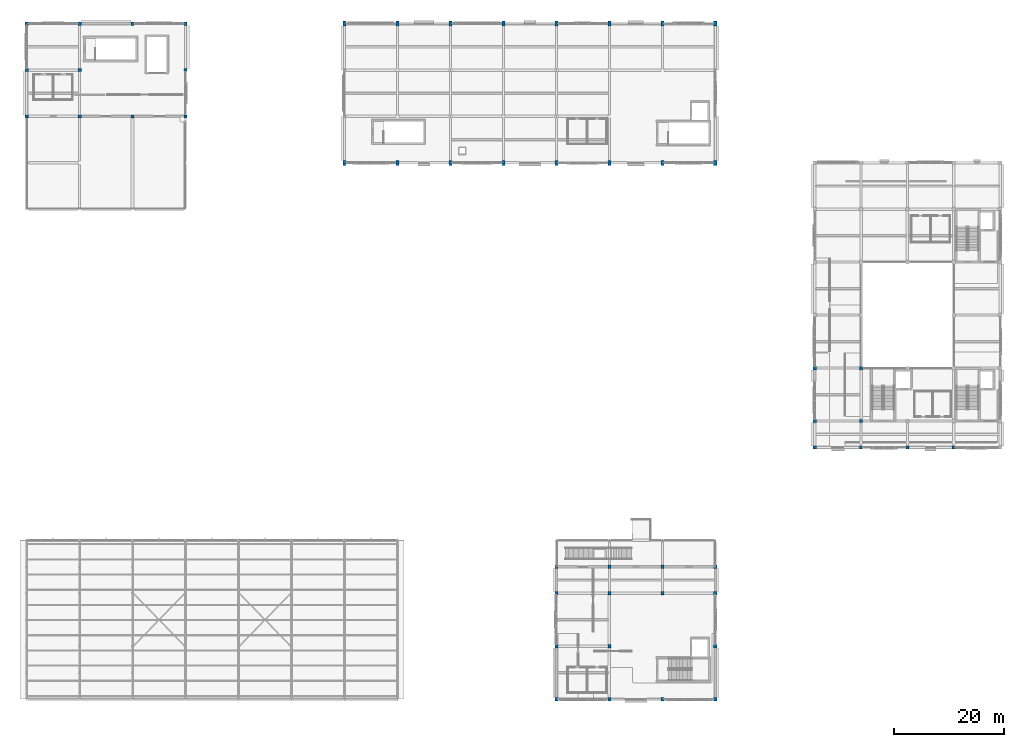
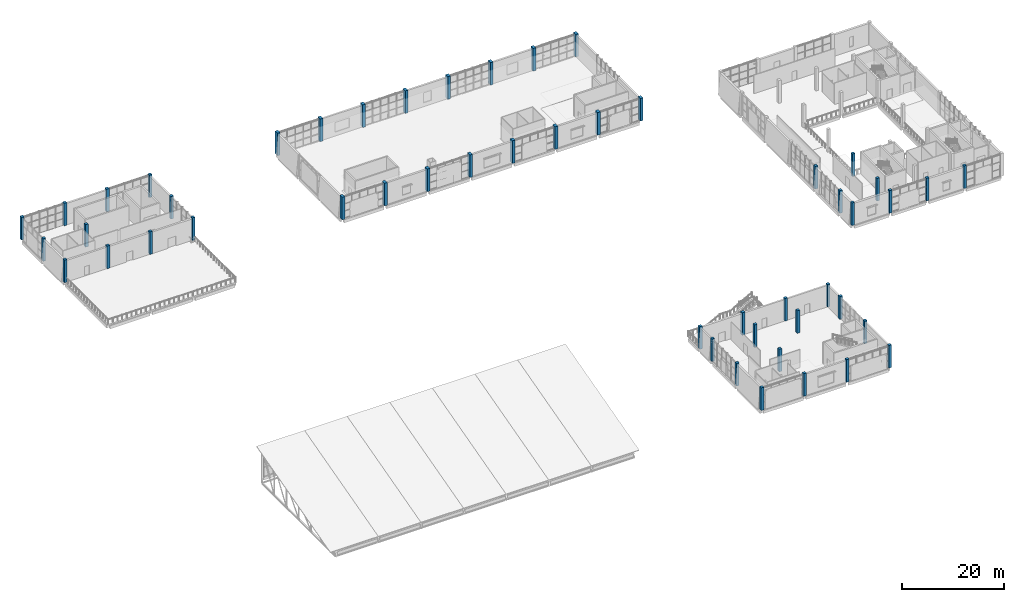
# One storey, part 1 of 57: 50 columns.
"""IFC4 building model written with IfcOpenShell, lengths in metres."""

from ifc_helpers import new_model, si_unit, direction, frame, origin, origin_2d, place, context, subcontext, project, spatial, rectangle, extrude, material, material_profile, profile_set, type_object, element, save


model = new_model("IFC4")

# Units and contexts
model_context = context("Model", 3, precision=1e-05, world=origin(), true_north=direction((0.0, 1.0)))
body_context = subcontext(model_context, "Body", "Model", "MODEL_VIEW")
ifc_project = project(units=[si_unit("LENGTHUNIT", "METRE"), si_unit("AREAUNIT", "SQUARE_METRE"), si_unit("VOLUMEUNIT", "CUBIC_METRE"), si_unit("PLANEANGLEUNIT", "RADIAN"), si_unit("MASSUNIT", "GRAM", prefix="KILO")], contexts=[model_context])

# Site, building, storey
site_placement = place(None, origin())
site = spatial("IfcSite", under=ifc_project, at=site_placement, CompositionType="ELEMENT")
building_placement = place(site_placement, origin())
building = spatial("IfcBuilding", under=site, at=building_placement, Name="Shalvenor Court Art Gallery", CompositionType="ELEMENT")
storey_placement = place(building_placement, frame((0.0, 0.0, 16.800048828125)))
storey = spatial("IfcBuildingStorey", under=building, at=storey_placement, Name="L03", CompositionType="ELEMENT", Elevation=16.800048828125)

# Columns
ifc_material_1 = material(Name="Concrete C40/50", Category="concrete")
ifc_material_profile_1 = material_profile(ifc_material_1, rectangle(XDim=0.60009765625, YDim=0.60009765625, at=origin_2d()), Name="RC 600x600")
ifc_profile_set_1 = profile_set([ifc_material_profile_1], Name="Concrete C40/50")
column_type_1 = type_object("IfcColumnType", Name="C-03", PredefinedType="COLUMN", material=ifc_profile_set_1)
for number, where, z_axis, x_axis, name in (
    (1, (9.60009765625, 105.60009765625, 0.0), (0.0, 0.0, 1.0), (1.0, 0.0, 0.0), "L03 Column COL-L03-C-03-0074"),
    (2, (9.60009765625, 114.0, 0.0), (0.0, 0.0, 1.0), (1.0, 0.0, 0.0), "L03 Column COL-L03-C-03-0079"),
    (3, (19.199951171875, 105.60009765625, 0.0), (0.0, 0.0, 1.0), (1.0, 0.0, 0.0), "L03 Column COL-L03-C-03-0112"),
    (4, (28.800048828125, 105.60009765625, 0.0), (0.0, 0.0, 1.0), (1.0, 0.0, 0.0), "L03 Column COL-L03-C-03-0149"),
    (5, (28.800048828125, 114.0, 0.0), (0.0, 0.0, 1.0), (1.0, 0.0, 0.0), "L03 Column COL-L03-C-03-0154"),
    (6, (105.60009765625, 9.60009765625, 0.0), (0.0, 0.0, 1.0), (1.0, 0.0, 0.0), "L03 Column COL-L03-C-03-0399"),
    (7, (105.60009765625, 19.199951171875, 0.0), (0.0, 0.0, 1.0), (1.0, 0.0, 0.0), "L03 Column COL-L03-C-03-0405"),
    (8, (105.60009765625, 24.0, 0.0), (0.0, 0.0, 1.0), (1.0, 0.0, 0.0), "L03 Column COL-L03-C-03-0411"),
    (9, (115.199951171875, 19.199951171875, 0.0), (0.0, 0.0, 1.0), (1.0, 0.0, 0.0), "L03 Column COL-L03-C-03-0455"),
    (10, (115.199951171875, 24.0, 0.0), (0.0, 0.0, 1.0), (1.0, 0.0, 0.0), "L03 Column COL-L03-C-03-0461"),
    (11, (142.800048828125, 45.60009765625, 0.0), (0.0, 0.0, 1.0), (1.0, 0.0, 0.0), "L03 Column COL-L03-C-03-0555"),
    (12, (142.800048828125, 50.39990234375, 0.0), (0.0, 0.0, 1.0), (1.0, 0.0, 0.0), "L03 Column COL-L03-C-03-0561"),
    (13, (142.800048828125, 60.0, 0.0), (0.0, 0.0, 1.0), (1.0, 0.0, 0.0), "L03 Column COL-L03-C-03-0567"),
    (14, (151.199951171875, 45.60009765625, 0.0), (0.0, 0.0, 1.0), (1.0, 0.0, 0.0), "L03 Column COL-L03-C-03-0597"),
    (15, (151.199951171875, 50.39990234375, 0.0), (0.0, 0.0, 1.0), (1.0, 0.0, 0.0), "L03 Column COL-L03-C-03-0603"),
    (16, (151.199951171875, 60.0, 0.0), (0.0, 0.0, 1.0), (1.0, 0.0, 0.0), "L03 Column COL-L03-C-03-0609"),
    (17, (159.60009765625, 45.60009765625, 0.0), (0.0, 0.0, 1.0), (1.0, 0.0, 0.0), "L03 Column COL-L03-C-03-0639"),
    (18, (168.0, 45.60009765625, 0.0), (0.0, 0.0, 1.0), (1.0, 0.0, 0.0), "L03 Column COL-L03-C-03-0681"),
):
    element("IfcColumn", number, at=place(storey_placement, frame(where, z_axis=z_axis, x_axis=x_axis)), inside=storey, type_object=column_type_1, Name=name, PredefinedType="COLUMN", context=body_context, shape_type="SweptSolid", body=[
        extrude(rectangle(XDim=0.60009765625, YDim=0.60009765625, at=origin_2d()), origin(), (0.0, 0.0, 1.0), 5.39990234375),
    ])
ifc_material_2 = material(Name="Concrete C40/50", Category="concrete")
ifc_material_profile_2 = material_profile(ifc_material_2, rectangle(XDim=0.60009765625, YDim=0.60009765625, at=origin_2d()), Name="RC 600x600")
ifc_profile_set_2 = profile_set([ifc_material_profile_2], Name="Concrete C40/50")
column_type_2 = type_object("IfcColumnType", Name="C-03E", PredefinedType="COLUMN", material=ifc_profile_set_2)
for number, where, z_axis, x_axis, name in (
    (19, (0.0, 105.60009765625, 0.0), (0.0, 0.0, 1.0), (1.0, 0.0, 0.0), "L03 Column COL-L03-C-03E-0032"),
    (20, (0.0, 114.0, 0.0), (0.0, 0.0, 1.0), (1.0, 0.0, 0.0), "L03 Column COL-L03-C-03E-0037"),
    (21, (0.0, 122.39990234375, 0.0), (0.0, 0.0, 1.0), (1.0, 0.0, 0.0), "L03 Column COL-L03-C-03E-0042"),
    (22, (9.60009765625, 122.39990234375, 0.0), (0.0, 0.0, 1.0), (1.0, 0.0, 0.0), "L03 Column COL-L03-C-03E-0084"),
    (23, (19.199951171875, 122.39990234375, 0.0), (0.0, 0.0, 1.0), (1.0, 0.0, 0.0), "L03 Column COL-L03-C-03E-0117"),
    (24, (28.800048828125, 122.39990234375, 0.0), (0.0, 0.0, 1.0), (1.0, 0.0, 0.0), "L03 Column COL-L03-C-03E-0159"),
    (25, (96.0, 0.0, 0.0), (0.0, 0.0, 1.0), (1.0, 0.0, 0.0), "L03 Column COL-L03-C-03E-0342"),
    (26, (96.0, 9.60009765625, 0.0), (0.0, 0.0, 1.0), (1.0, 0.0, 0.0), "L03 Column COL-L03-C-03E-0348"),
    (27, (96.0, 19.199951171875, 0.0), (0.0, 0.0, 1.0), (1.0, 0.0, 0.0), "L03 Column COL-L03-C-03E-0354"),
    (28, (96.0, 24.0, 0.0), (0.0, 0.0, 1.0), (1.0, 0.0, 0.0), "L03 Column COL-L03-C-03E-0360"),
    (29, (105.60009765625, 0.0, 0.0), (0.0, 0.0, 1.0), (1.0, 0.0, 0.0), "L03 Column COL-L03-C-03E-0393"),
    (30, (115.199951171875, 0.0, 0.0), (0.0, 0.0, 1.0), (1.0, 0.0, 0.0), "L03 Column COL-L03-C-03E-0449"),
    (31, (124.800048828125, 0.0, 0.0), (0.0, 0.0, 1.0), (1.0, 0.0, 0.0), "L03 Column COL-L03-C-03E-0490"),
    (32, (124.800048828125, 9.60009765625, 0.0), (0.0, 0.0, 1.0), (1.0, 0.0, 0.0), "L03 Column COL-L03-C-03E-0496"),
    (33, (124.800048828125, 19.199951171875, 0.0), (0.0, 0.0, 1.0), (1.0, 0.0, 0.0), "L03 Column COL-L03-C-03E-0502"),
    (34, (124.800048828125, 24.0, 0.0), (0.0, 0.0, 1.0), (1.0, 0.0, 0.0), "L03 Column COL-L03-C-03E-0508"),
):
    element("IfcColumn", number, at=place(storey_placement, frame(where, z_axis=z_axis, x_axis=x_axis)), inside=storey, type_object=column_type_2, Name=name, PredefinedType="COLUMN", context=body_context, shape_type="SweptSolid", body=[
        extrude(rectangle(XDim=0.60009765625, YDim=0.60009765625, at=origin_2d()), origin(), (0.0, 0.0, 1.0), 5.39990234375),
    ])
ifc_material_3 = material(Name="Concrete C40/50", Category="concrete")
ifc_material_profile_3 = material_profile(ifc_material_3, rectangle(XDim=0.60009765625, YDim=0.89990234375, at=origin_2d()), Name="RC 600x900")
ifc_profile_set_3 = profile_set([ifc_material_profile_3], Name="Concrete C40/50")
column_type_3 = type_object("IfcColumnType", Name="C-05E", PredefinedType="COLUMN", material=ifc_profile_set_3)
for number, where, z_axis, x_axis, name in (
    (35, (57.60009765625, 97.199951171875, 0.0), (0.0, 0.0, 1.0), (1.0, 0.0, 0.0), "L03 Column COL-L03-C-05E-0241"),
    (36, (57.60009765625, 122.39990234375, 0.0), (0.0, 0.0, 1.0), (1.0, 0.0, 0.0), "L03 Column COL-L03-C-05E-0254"),
    (37, (67.199951171875, 97.199951171875, 0.0), (0.0, 0.0, 1.0), (1.0, 0.0, 0.0), "L03 Column COL-L03-C-05E-0282"),
    (38, (67.199951171875, 122.39990234375, 0.0), (0.0, 0.0, 1.0), (1.0, 0.0, 0.0), "L03 Column COL-L03-C-05E-0295"),
    (39, (76.800048828125, 97.199951171875, 0.0), (0.0, 0.0, 1.0), (1.0, 0.0, 0.0), "L03 Column COL-L03-C-05E-0306"),
    (40, (76.800048828125, 122.39990234375, 0.0), (0.0, 0.0, 1.0), (1.0, 0.0, 0.0), "L03 Column COL-L03-C-05E-0319"),
    (41, (86.39990234375, 97.199951171875, 0.0), (0.0, 0.0, 1.0), (1.0, 0.0, 0.0), "L03 Column COL-L03-C-05E-0324"),
    (42, (86.39990234375, 122.39990234375, 0.0), (0.0, 0.0, 1.0), (1.0, 0.0, 0.0), "L03 Column COL-L03-C-05E-0337"),
    (43, (96.0, 97.199951171875, 0.0), (0.0, 0.0, 1.0), (1.0, 0.0, 0.0), "L03 Column COL-L03-C-05E-0375"),
    (44, (96.0, 122.39990234375, 0.0), (0.0, 0.0, 1.0), (1.0, 0.0, 0.0), "L03 Column COL-L03-C-05E-0388"),
    (45, (105.60009765625, 97.199951171875, 0.0), (0.0, 0.0, 1.0), (1.0, 0.0, 0.0), "L03 Column COL-L03-C-05E-0431"),
    (46, (105.60009765625, 122.39990234375, 0.0), (0.0, 0.0, 1.0), (1.0, 0.0, 0.0), "L03 Column COL-L03-C-05E-0444"),
    (47, (115.199951171875, 97.199951171875, 0.0), (0.0, 0.0, 1.0), (1.0, 0.0, 0.0), "L03 Column COL-L03-C-05E-0476"),
    (48, (115.199951171875, 122.39990234375, 0.0), (0.0, 0.0, 1.0), (1.0, 0.0, 0.0), "L03 Column COL-L03-C-05E-0485"),
    (49, (124.800048828125, 97.199951171875, 0.0), (0.0, 0.0, 1.0), (1.0, 0.0, 0.0), "L03 Column COL-L03-C-05E-0523"),
    (50, (124.800048828125, 122.39990234375, 0.0), (0.0, 0.0, 1.0), (1.0, 0.0, 0.0), "L03 Column COL-L03-C-05E-0536"),
):
    element("IfcColumn", number, at=place(storey_placement, frame(where, z_axis=z_axis, x_axis=x_axis)), inside=storey, type_object=column_type_3, Name=name, PredefinedType="COLUMN", context=body_context, shape_type="SweptSolid", body=[
        extrude(rectangle(XDim=0.60009765625, YDim=0.89990234375, at=origin_2d()), origin(), (0.0, 0.0, 1.0), 5.39990234375),
    ])

save(model, "model.ifc")
